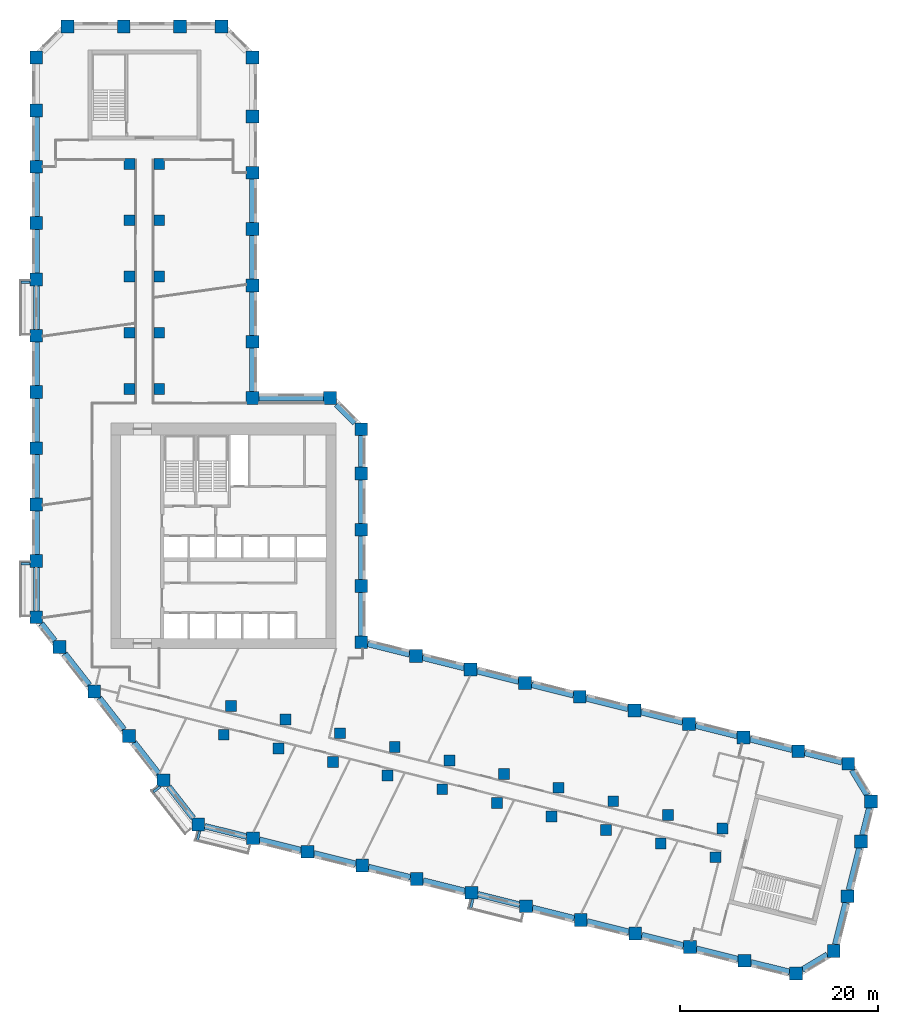
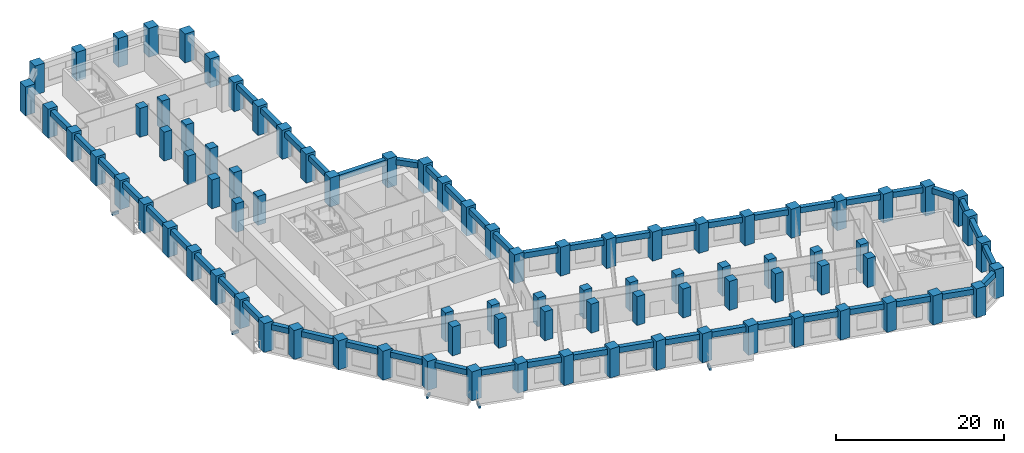
# One storey, part 1 of 11: 87 columns, 54 beams.
"""IFC4 building model written with IfcOpenShell, lengths in metres."""

from ifc_helpers import new_model, si_unit, direction, frame, origin, origin_2d, place, context, subcontext, project, spatial, rectangle, extrude, material, material_profile, profile_set, type_object, element, save


model = new_model("IFC4")

# Units and contexts
model_context = context("Model", 3, precision=1e-05, world=origin(), true_north=direction((0.0, 1.0)))
body_context = subcontext(model_context, "Body", "Model", "MODEL_VIEW")
ifc_project = project(units=[si_unit("LENGTHUNIT", "METRE"), si_unit("AREAUNIT", "SQUARE_METRE"), si_unit("VOLUMEUNIT", "CUBIC_METRE"), si_unit("PLANEANGLEUNIT", "RADIAN"), si_unit("MASSUNIT", "GRAM", prefix="KILO")], contexts=[model_context])

# Site, building, storey
site_placement = place(None, origin())
site = spatial("IfcSite", under=ifc_project, at=site_placement, CompositionType="ELEMENT")
building_placement = place(site_placement, origin())
building = spatial("IfcBuilding", under=site, at=building_placement, Name="Meshkara Civic Tower", CompositionType="ELEMENT")
storey_placement = place(building_placement, frame((0.0, 0.0, 101.39990234375)))
storey = spatial("IfcBuildingStorey", under=building, at=storey_placement, Name="L22", CompositionType="ELEMENT", Elevation=101.39990234375)

# Columns
ifc_material_1 = material(Name="Concrete C70", Category="concrete")
ifc_material_profile_1 = material_profile(ifc_material_1, rectangle(XDim=1.10009765625, YDim=1.10009765625, at=origin_2d()))
ifc_profile_set_1 = profile_set([ifc_material_profile_1], Name="Concrete C70")
column_type_1 = type_object("IfcColumnType", Name="Interior column RC 1100x1100 C70", PredefinedType="COLUMN", material=ifc_profile_set_1)
for number, where, z_axis, x_axis, name in (
    (1, (9.89990234375, 40.35009765625, 0.0), (0.0, 0.0, 1.0), (1.0, 0.0, 0.0), "Column SA1-04 L22"),
    (2, (9.89990234375, 46.050048828125, 0.0), (0.0, 0.0, 1.0), (1.0, 0.0, 0.0), "Column SA1-05 L22"),
    (3, (9.89990234375, 51.75, 0.0), (0.0, 0.0, 1.0), (1.0, 0.0, 0.0), "Column SA1-06 L22"),
    (4, (9.89990234375, 57.449951171875, 0.0), (0.0, 0.0, 1.0), (1.0, 0.0, 0.0), "Column SA1-07 L22"),
    (5, (9.89990234375, 63.14990234375, 0.0), (0.0, 0.0, 1.0), (1.0, 0.0, 0.0), "Column SA1-08 L22"),
    (6, (12.89990234375, 40.35009765625, 0.0), (0.0, 0.0, 1.0), (1.0, 0.0, 0.0), "Column SA2-04 L22"),
    (7, (12.89990234375, 46.050048828125, 0.0), (0.0, 0.0, 1.0), (1.0, 0.0, 0.0), "Column SA2-05 L22"),
    (8, (12.89990234375, 51.75, 0.0), (0.0, 0.0, 1.0), (1.0, 0.0, 0.0), "Column SA2-06 L22"),
    (9, (12.89990234375, 57.449951171875, 0.0), (0.0, 0.0, 1.0), (1.0, 0.0, 0.0), "Column SA2-07 L22"),
    (10, (12.89990234375, 63.14990234375, 0.0), (0.0, 0.0, 1.0), (1.0, 0.0, 0.0), "Column SA2-08 L22"),
    (11, (19.424072265625, 5.360107421875, 0.0), (0.0, 0.0, 1.0), (1.0, 0.0, 0.0), "Column SB1-00 L22"),
    (12, (24.9541015625, 3.98095703125, 0.0), (0.0, 0.0, 1.0), (1.0, 0.0, 0.0), "Column SB1-01 L22"),
    (13, (30.485107421875, 2.60205078125, 0.0), (0.0, 0.0, 1.0), (1.0, 0.0, 0.0), "Column SB1-02 L22"),
    (14, (36.01611328125, 1.222900390625, 0.0), (0.0, 0.0, 1.0), (1.0, 0.0, 0.0), "Column SB1-03 L22"),
    (15, (41.5458984375, -0.156005859375, 0.0), (0.0, 0.0, 1.0), (1.0, 0.0, 0.0), "Column SB1-04 L22"),
    (16, (47.076904296875, -1.534912109375, 0.0), (0.0, 0.0, 1.0), (1.0, 0.0, 0.0), "Column SB1-05 L22"),
    (17, (52.60791015625, -2.9140625, 0.0), (0.0, 0.0, 1.0), (1.0, 0.0, 0.0), "Column SB1-06 L22"),
    (18, (58.138916015625, -4.2919921875, 0.0), (0.0, 0.0, 1.0), (1.0, 0.0, 0.0), "Column SB1-07 L22"),
    (19, (63.6689453125, -5.6708984375, 0.0), (0.0, 0.0, 1.0), (1.0, 0.0, 0.0), "Column SB1-08 L22"),
    (20, (69.199951171875, -7.050048828125, 0.0), (0.0, 0.0, 1.0), (1.0, 0.0, 0.0), "Column SB1-09 L22"),
    (21, (20.14892578125, 8.27099609375, 0.0), (0.0, 0.0, 1.0), (1.0, 0.0, 0.0), "Column SB2-00 L22"),
    (22, (25.679931640625, 6.89208984375, 0.0), (0.0, 0.0, 1.0), (1.0, 0.0, 0.0), "Column SB2-01 L22"),
    (23, (31.2109375, 5.512939453125, 0.0), (0.0, 0.0, 1.0), (1.0, 0.0, 0.0), "Column SB2-02 L22"),
    (24, (36.741943359375, 4.134033203125, 0.0), (0.0, 0.0, 1.0), (1.0, 0.0, 0.0), "Column SB2-03 L22"),
    (25, (42.27197265625, 2.7548828125, 0.0), (0.0, 0.0, 1.0), (1.0, 0.0, 0.0), "Column SB2-04 L22"),
    (26, (47.802978515625, 1.3759765625, 0.0), (0.0, 0.0, 1.0), (1.0, 0.0, 0.0), "Column SB2-05 L22"),
    (27, (53.333984375, -0.0029296875, 0.0), (0.0, 0.0, 1.0), (1.0, 0.0, 0.0), "Column SB2-06 L22"),
    (28, (58.864013671875, -1.382080078125, 0.0), (0.0, 0.0, 1.0), (1.0, 0.0, 0.0), "Column SB2-07 L22"),
    (29, (64.39501953125, -2.760986328125, 0.0), (0.0, 0.0, 1.0), (1.0, 0.0, 0.0), "Column SB2-08 L22"),
    (30, (69.926025390625, -4.139892578125, 0.0), (0.0, 0.0, 1.0), (1.0, 0.0, 0.0), "Column SB2-09 L22"),
):
    element("IfcColumn", number, at=place(storey_placement, frame(where, z_axis=z_axis, x_axis=x_axis)), inside=storey, type_object=column_type_1, Name=name, PredefinedType="COLUMN", context=body_context, shape_type="SweptSolid", body=[
        extrude(rectangle(XDim=1.10009765625, YDim=1.10009765625, at=origin_2d()), origin(), (0.0, 0.0, 1.0), 4.2001953125),
    ])
ifc_material_2 = material(Name="Concrete C70", Category="concrete")
ifc_material_profile_2 = material_profile(ifc_material_2, rectangle(XDim=1.300048828125, YDim=1.300048828125, at=origin_2d()))
ifc_profile_set_2 = profile_set([ifc_material_profile_2], Name="Concrete C70")
column_type_2 = type_object("IfcColumnType", Name="Perimeter column RC 1300x1300 C70", PredefinedType="COLUMN", material=ifc_profile_set_2)
for number, where, z_axis, x_axis, name in (
    (31, (33.35009765625, 14.718994140625, 0.0), (0.0, 0.0, 1.0), (1.0, 0.0, 0.0), "Column HE00 L22"),
    (32, (33.35009765625, 20.4189453125, 0.0), (0.0, 0.0, 1.0), (1.0, 0.0, 0.0), "Column HE01 L22"),
    (33, (33.35009765625, 26.118896484375, 0.0), (0.0, 0.0, 1.0), (1.0, 0.0, 0.0), "Column HE02 L22"),
    (34, (33.35009765625, 31.819091796875, 0.0), (0.0, 0.0, 1.0), (1.0, 0.0, 0.0), "Column HE03 L22"),
    (35, (33.35009765625, 36.2939453125, 0.0), (0.0, 0.0, 1.0), (1.0, 0.0, 0.0), "Column HEE L22"),
    (36, (30.194091796875, 39.449951171875, 0.0), (0.0, 0.0, 1.0), (1.0, 0.0, 0.0), "Column HCeE L22"),
    (37, (22.35009765625, 39.449951171875, 0.0), (0.0, 0.0, 1.0), (1.0, 0.0, 0.0), "Column HN00 L22"),
    (38, (22.35009765625, 45.14990234375, 0.0), (0.0, 0.0, 1.0), (1.0, 0.0, 0.0), "Column AE01 L22"),
    (39, (22.35009765625, 50.85009765625, 0.0), (0.0, 0.0, 1.0), (1.0, 0.0, 0.0), "Column AE02 L22"),
    (40, (22.35009765625, 56.550048828125, 0.0), (0.0, 0.0, 1.0), (1.0, 0.0, 0.0), "Column AE03 L22"),
    (41, (22.35009765625, 62.25, 0.0), (0.0, 0.0, 1.0), (1.0, 0.0, 0.0), "Column AE04 L22"),
    (42, (22.35009765625, 67.949951171875, 0.0), (0.0, 0.0, 1.0), (1.0, 0.0, 0.0), "Column AE05 L22"),
    (43, (22.35009765625, 73.9140625, 0.0), (0.0, 0.0, 1.0), (1.0, 0.0, 0.0), "Column AEEP1 L22"),
    (44, (19.194091796875, 77.070068359375, 0.0), (0.0, 0.0, 1.0), (1.0, 0.0, 0.0), "Column ATiEP1 L22"),
    (45, (3.60595703125, 77.070068359375, 0.0), (0.0, 0.0, 1.0), (1.0, 0.0, 0.0), "Column AT00-P1 L22"),
    (46, (9.305908203125, 77.070068359375, 0.0), (0.0, 0.0, 1.0), (1.0, 0.0, 0.0), "Column AT01-P1 L22"),
    (47, (15.006103515625, 77.070068359375, 0.0), (0.0, 0.0, 1.0), (1.0, 0.0, 0.0), "Column AT02-P1 L22"),
    (48, (0.449951171875, 73.9140625, 0.0), (0.0, 0.0, 1.0), (1.0, 0.0, 0.0), "Column ATo00-P1 L22"),
    (49, (0.449951171875, 17.2548828125, 0.0), (0.0, 0.0, 1.0), (1.0, 0.0, 0.0), "Column AW00 L22"),
    (50, (0.449951171875, 22.955078125, 0.0), (0.0, 0.0, 1.0), (1.0, 0.0, 0.0), "Column AW01 L22"),
    (51, (0.449951171875, 28.655029296875, 0.0), (0.0, 0.0, 1.0), (1.0, 0.0, 0.0), "Column AW02 L22"),
    (52, (0.449951171875, 34.35498046875, 0.0), (0.0, 0.0, 1.0), (1.0, 0.0, 0.0), "Column AW03 L22"),
    (53, (0.449951171875, 40.054931640625, 0.0), (0.0, 0.0, 1.0), (1.0, 0.0, 0.0), "Column AW04 L22"),
    (54, (0.449951171875, 45.7548828125, 0.0), (0.0, 0.0, 1.0), (1.0, 0.0, 0.0), "Column AW05 L22"),
    (55, (0.449951171875, 51.455078125, 0.0), (0.0, 0.0, 1.0), (1.0, 0.0, 0.0), "Column AW06 L22"),
    (56, (0.449951171875, 57.155029296875, 0.0), (0.0, 0.0, 1.0), (1.0, 0.0, 0.0), "Column AW07 L22"),
    (57, (0.449951171875, 62.85498046875, 0.0), (0.0, 0.0, 1.0), (1.0, 0.0, 0.0), "Column AW08 L22"),
    (58, (0.449951171875, 68.554931640625, 0.0), (0.0, 0.0, 1.0), (1.0, 0.0, 0.0), "Column AW09 L22"),
    (59, (16.85107421875, -3.738037109375, 0.0), (0.0, 0.0, 1.0), (1.0, 0.0, 0.0), "Column BOW00 L22"),
    (60, (13.342041015625, 0.75390625, 0.0), (0.0, 0.0, 1.0), (1.0, 0.0, 0.0), "Column BOW01 L22"),
    (61, (9.8330078125, 5.2451171875, 0.0), (0.0, 0.0, 1.0), (1.0, 0.0, 0.0), "Column BOW02 L22"),
    (62, (6.322998046875, 9.737060546875, 0.0), (0.0, 0.0, 1.0), (1.0, 0.0, 0.0), "Column BOW03 L22"),
    (63, (2.81396484375, 14.22900390625, 0.0), (0.0, 0.0, 1.0), (1.0, 0.0, 0.0), "Column BOW04 L22"),
    (64, (22.382080078125, -5.116943359375, 0.0), (0.0, 0.0, 1.0), (1.0, 0.0, 0.0), "Column BS01 L22"),
    (65, (27.912109375, -6.49609375, 0.0), (0.0, 0.0, 1.0), (1.0, 0.0, 0.0), "Column BS02 L22"),
    (66, (33.443115234375, -7.875, 0.0), (0.0, 0.0, 1.0), (1.0, 0.0, 0.0), "Column BS03 L22"),
    (67, (38.97412109375, -9.2529296875, 0.0), (0.0, 0.0, 1.0), (1.0, 0.0, 0.0), "Column BS04-P1 L22"),
    (68, (44.5048828125, -10.632080078125, 0.0), (0.0, 0.0, 1.0), (1.0, 0.0, 0.0), "Column BS05 L22"),
    (69, (50.034912109375, -12.010986328125, 0.0), (0.0, 0.0, 1.0), (1.0, 0.0, 0.0), "Column BS06 L22"),
    (70, (55.56591796875, -13.389892578125, 0.0), (0.0, 0.0, 1.0), (1.0, 0.0, 0.0), "Column BS07 L22"),
    (71, (61.096923828125, -14.76904296875, 0.0), (0.0, 0.0, 1.0), (1.0, 0.0, 0.0), "Column BS08 L22"),
    (72, (66.626953125, -16.14794921875, 0.0), (0.0, 0.0, 1.0), (1.0, 0.0, 0.0), "Column BS09 L22"),
    (73, (72.157958984375, -17.527099609375, 0.0), (0.0, 0.0, 1.0), (1.0, 0.0, 0.0), "Column BS10 L22"),
    (74, (77.35791015625, -18.822998046875, 0.0), (0.0, 0.0, 1.0), (1.0, 0.0, 0.0), "Column BSEP1 L22"),
    (75, (81.18310546875, -16.52392578125, 0.0), (0.0, 0.0, 1.0), (1.0, 0.0, 0.0), "Column BToEP1 L22"),
    (76, (82.56201171875, -10.992919921875, 0.0), (0.0, 0.0, 1.0), (1.0, 0.0, 0.0), "Column BT01-P1 L22"),
    (77, (83.94091796875, -5.462890625, 0.0), (0.0, 0.0, 1.0), (1.0, 0.0, 0.0), "Column BT02-P1 L22"),
    (78, (84.9541015625, -1.39990234375, 0.0), (0.0, 0.0, 1.0), (1.0, 0.0, 0.0), "Column BTEP1 L22"),
    (79, (82.655029296875, 2.425048828125, 0.0), (0.0, 0.0, 1.0), (1.0, 0.0, 0.0), "Column BTi00-P1 L22"),
    (80, (38.881103515625, 13.340087890625, 0.0), (0.0, 0.0, 1.0), (1.0, 0.0, 0.0), "Column BN01 L22"),
    (81, (44.410888671875, 11.9609375, 0.0), (0.0, 0.0, 1.0), (1.0, 0.0, 0.0), "Column BN02 L22"),
    (82, (49.94189453125, 10.58203125, 0.0), (0.0, 0.0, 1.0), (1.0, 0.0, 0.0), "Column BN03 L22"),
    (83, (55.472900390625, 9.202880859375, 0.0), (0.0, 0.0, 1.0), (1.0, 0.0, 0.0), "Column BN04 L22"),
    (84, (61.0029296875, 7.823974609375, 0.0), (0.0, 0.0, 1.0), (1.0, 0.0, 0.0), "Column BN05 L22"),
    (85, (66.533935546875, 6.445068359375, 0.0), (0.0, 0.0, 1.0), (1.0, 0.0, 0.0), "Column BN06 L22"),
    (86, (72.06494140625, 5.06591796875, 0.0), (0.0, 0.0, 1.0), (1.0, 0.0, 0.0), "Column BN07 L22"),
    (87, (77.594970703125, 3.68701171875, 0.0), (0.0, 0.0, 1.0), (1.0, 0.0, 0.0), "Column BN08 L22"),
):
    element("IfcColumn", number, at=place(storey_placement, frame(where, z_axis=z_axis, x_axis=x_axis)), inside=storey, type_object=column_type_2, Name=name, PredefinedType="COLUMN", context=body_context, shape_type="SweptSolid", body=[
        extrude(rectangle(XDim=1.300048828125, YDim=1.300048828125, at=origin_2d()), origin(), (0.0, 0.0, 1.0), 4.2001953125),
    ])

# Beams
ifc_material_3 = material(Name="Concrete C50", Category="concrete")
ifc_material_profile_3 = material_profile(ifc_material_3, rectangle(XDim=0.25, YDim=0.39990234375, at=origin_2d()))
ifc_profile_set_3 = profile_set([ifc_material_profile_3], Name="Concrete C50")
beam_type_1 = type_object("IfcBeamType", Name="Balcony bracket beam RC 250x400 C50", PredefinedType="BEAM", material=ifc_profile_set_3)
for number, where, z_axis, x_axis, name in (
    (88, (-0.195068359375, 51.155029296875, -0.5), (-1.0, 0.0, 0.0), (0.0, -1.0, 0.0), "Balcony bracket beam"),
    (89, (-0.195068359375, 22.655029296875, -0.5), (-1.0, 0.0, 0.0), (0.0, -1.0, 0.0), "Balcony bracket beam"),
):
    element("IfcBeam", number, at=place(storey_placement, frame(where, z_axis=z_axis, x_axis=x_axis)), inside=storey, type_object=beam_type_1, Name=name, PredefinedType="BEAM", context=body_context, shape_type="SweptSolid", body=[
        extrude(rectangle(XDim=0.25, YDim=0.39990234375, at=origin_2d()), origin(), (0.0, 0.0, 1.0), 0.905029296875),
    ])
beam_1_placement = place(storey_placement, frame((13.0009765625, 0.10693359375, -0.5), z_axis=(-0.787936375825, -0.615756662693, 0.0), x_axis=(0.615756662693, -0.787936375825, 0.0)))
element("IfcBeam", 90, at=beam_1_placement, inside=storey, type_object=beam_type_1, Name="Balcony bracket beam", PredefinedType="BEAM", context=body_context, shape_type="SweptSolid", body=[
    extrude(rectangle(XDim=0.25, YDim=0.39990234375, at=origin_2d()), origin(), (0.0, 0.0, 1.0), 0.88330078125),
])
beam_2_placement = place(storey_placement, frame((16.9990234375, -4.383056640625, -0.5), z_axis=(-0.241757133902, -0.970336791123, 0.0), x_axis=(0.970336791123, -0.241757133902, 0.0)))
element("IfcBeam", 91, at=beam_2_placement, inside=storey, type_object=beam_type_1, Name="Balcony bracket beam", PredefinedType="BEAM", context=body_context, shape_type="SweptSolid", body=[
    extrude(rectangle(XDim=0.25, YDim=0.39990234375, at=origin_2d()), origin(), (0.0, 0.0, 1.0), 0.95947265625),
])
beam_3_placement = place(storey_placement, frame((44.653076171875, -11.277099609375, -0.5), z_axis=(-0.241757949961, -0.970336587804, 0.0), x_axis=(0.970336587804, -0.241757949961, 0.0)))
element("IfcBeam", 92, at=beam_3_placement, inside=storey, type_object=beam_type_1, Name="Balcony bracket beam", PredefinedType="BEAM", context=body_context, shape_type="SweptSolid", body=[
    extrude(rectangle(XDim=0.25, YDim=0.39990234375, at=origin_2d()), origin(), (0.0, 0.0, 1.0), 0.96044921875),
])
ifc_material_4 = material(Name="Concrete C70", Category="concrete")
ifc_material_profile_4 = material_profile(ifc_material_4, rectangle(XDim=0.60009765625, YDim=0.800048828125, at=origin_2d()))
ifc_profile_set_4 = profile_set([ifc_material_profile_4], Name="Concrete C70")
beam_type_2 = type_object("IfcBeamType", Name="Spandrel beam RC 600x800 C70", PredefinedType="BEAM", material=ifc_profile_set_4)
beam_4_placement = place(storey_placement, frame((76.949951171875, 3.847900390625, 3.5), z_axis=(-0.970293497888, 0.241930832999, 0.0), x_axis=(-0.241930832999, -0.970293497888, 0.0)))
element("IfcBeam", 93, at=beam_4_placement, inside=storey, type_object=beam_type_2, Name="Spandrel beam BN07-BN08", PredefinedType="BEAM", context=body_context, shape_type="SweptSolid", body=[
    extrude(rectangle(XDim=0.60009765625, YDim=0.800048828125, at=origin_2d()), origin(), (0.0, 0.0, 1.0), 4.36962890625),
])
for number, where, z_axis, x_axis, name in (
    (94, (71.419921875, 5.226806640625, 3.5), (-0.970293463154, 0.241930972304, 0.0), (-0.241930972304, -0.970293463154, 0.0), "Spandrel beam BN06-BN07"),
    (95, (65.888916015625, 6.605712890625, 3.5), (-0.970293463154, 0.241930972304, 0.0), (-0.241930972304, -0.970293463154, 0.0), "Spandrel beam BN05-BN06"),
):
    element("IfcBeam", number, at=place(storey_placement, frame(where, z_axis=z_axis, x_axis=x_axis)), inside=storey, type_object=beam_type_2, Name=name, PredefinedType="BEAM", context=body_context, shape_type="SweptSolid", body=[
        extrude(rectangle(XDim=0.60009765625, YDim=0.800048828125, at=origin_2d()), origin(), (0.0, 0.0, 1.0), 4.37060546875),
    ])
beam_5_placement = place(storey_placement, frame((60.35791015625, 7.98486328125, 3.5), z_axis=(-0.970293497888, 0.241930832999, 0.0), x_axis=(-0.241930832999, -0.970293497888, 0.0)))
element("IfcBeam", 96, at=beam_5_placement, inside=storey, type_object=beam_type_2, Name="Spandrel beam BN04-BN05", PredefinedType="BEAM", context=body_context, shape_type="SweptSolid", body=[
    extrude(rectangle(XDim=0.60009765625, YDim=0.800048828125, at=origin_2d()), origin(), (0.0, 0.0, 1.0), 4.36962890625),
])
for number, where, z_axis, x_axis, name in (
    (97, (54.827880859375, 9.36376953125, 3.5), (-0.970293463154, 0.241930972304, 0.0), (-0.241930972304, -0.970293463154, 0.0), "Spandrel beam BN03-BN04"),
    (98, (49.296875, 10.742919921875, 3.5), (-0.970293463154, 0.241930972304, 0.0), (-0.241930972304, -0.970293463154, 0.0), "Spandrel beam BN02-BN03"),
):
    element("IfcBeam", number, at=place(storey_placement, frame(where, z_axis=z_axis, x_axis=x_axis)), inside=storey, type_object=beam_type_2, Name=name, PredefinedType="BEAM", context=body_context, shape_type="SweptSolid", body=[
        extrude(rectangle(XDim=0.60009765625, YDim=0.800048828125, at=origin_2d()), origin(), (0.0, 0.0, 1.0), 4.37060546875),
    ])
beam_6_placement = place(storey_placement, frame((43.765869140625, 12.121826171875, 3.5), z_axis=(-0.970280380753, 0.241983434817, 0.0), x_axis=(-0.241983434817, -0.970280380753, 0.0)))
element("IfcBeam", 99, at=beam_6_placement, inside=storey, type_object=beam_type_2, Name="Spandrel beam BN01-BN02", PredefinedType="BEAM", context=body_context, shape_type="SweptSolid", body=[
    extrude(rectangle(XDim=0.60009765625, YDim=0.800048828125, at=origin_2d()), origin(), (0.0, 0.0, 1.0), 4.36962890625),
])
beam_7_placement = place(storey_placement, frame((38.23583984375, 13.500732421875, 3.5), z_axis=(-0.970293463154, 0.241930972304, 0.0), x_axis=(-0.241930972304, -0.970293463154, 0.0)))
element("IfcBeam", 100, at=beam_7_placement, inside=storey, type_object=beam_type_2, Name="Spandrel beam BN01-HE00", PredefinedType="BEAM", context=body_context, shape_type="SweptSolid", body=[
    extrude(rectangle(XDim=0.60009765625, YDim=0.800048828125, at=origin_2d()), origin(), (0.0, 0.0, 1.0), 4.37060546875),
])
beam_8_placement = place(storey_placement, frame((33.35009765625, 15.364013671875, 3.5), z_axis=(0.0, 1.0, 0.0), x_axis=(-1.0, 0.0, 0.0)))
element("IfcBeam", 101, at=beam_8_placement, inside=storey, type_object=beam_type_2, Name="Spandrel beam HE00-HE01", PredefinedType="BEAM", context=body_context, shape_type="SweptSolid", body=[
    extrude(rectangle(XDim=0.60009765625, YDim=0.800048828125, at=origin_2d()), origin(), (0.0, 0.0, 1.0), 4.409912109375),
])
for number, where, z_axis, x_axis, name in (
    (102, (33.35009765625, 21.06396484375, 3.5), (0.0, 1.0, 0.0), (-1.0, 0.0, 0.0), "Spandrel beam HE01-HE02"),
    (103, (33.35009765625, 26.763916015625, 3.5), (0.0, 1.0, 0.0), (-1.0, 0.0, 0.0), "Spandrel beam HE02-HE03"),
):
    element("IfcBeam", number, at=place(storey_placement, frame(where, z_axis=z_axis, x_axis=x_axis)), inside=storey, type_object=beam_type_2, Name=name, PredefinedType="BEAM", context=body_context, shape_type="SweptSolid", body=[
        extrude(rectangle(XDim=0.60009765625, YDim=0.800048828125, at=origin_2d()), origin(), (0.0, 0.0, 1.0), 4.41015625),
    ])
beam_9_placement = place(storey_placement, frame((33.35009765625, 32.464111328125, 3.5), z_axis=(0.0, 1.0, 0.0), x_axis=(-1.0, 0.0, 0.0)))
element("IfcBeam", 104, at=beam_9_placement, inside=storey, type_object=beam_type_2, Name="Spandrel beam HE03-HEE", PredefinedType="BEAM", context=body_context, shape_type="SweptSolid", body=[
    extrude(rectangle(XDim=0.60009765625, YDim=0.800048828125, at=origin_2d()), origin(), (0.0, 0.0, 1.0), 3.184814453125),
])
beam_10_placement = place(storey_placement, frame((32.70361328125, 36.9404296875, 3.5), z_axis=(-0.707106781187, 0.707106781187, 0.0), x_axis=(-0.707106781187, -0.707106781187, 0.0)))
element("IfcBeam", 105, at=beam_10_placement, inside=storey, type_object=beam_type_2, Name="Spandrel beam HCeE-HEE", PredefinedType="BEAM", context=body_context, shape_type="SweptSolid", body=[
    extrude(rectangle(XDim=0.60009765625, YDim=0.800048828125, at=origin_2d()), origin(), (0.0, 0.0, 1.0), 2.634765625),
])
beam_11_placement = place(storey_placement, frame((29.549072265625, 39.449951171875, 3.5), z_axis=(-1.0, 0.0, 0.0), x_axis=(0.0, -1.0, 0.0)))
element("IfcBeam", 106, at=beam_11_placement, inside=storey, type_object=beam_type_2, Name="Spandrel beam HCeE-HN00", PredefinedType="BEAM", context=body_context, shape_type="SweptSolid", body=[
    extrude(rectangle(XDim=0.60009765625, YDim=0.800048828125, at=origin_2d()), origin(), (0.0, 0.0, 1.0), 6.553955078125),
])
beam_12_placement = place(storey_placement, frame((22.35009765625, 40.094970703125, 3.5), z_axis=(0.0, 1.0, 0.0), x_axis=(-1.0, 0.0, 0.0)))
element("IfcBeam", 107, at=beam_12_placement, inside=storey, type_object=beam_type_2, Name="Spandrel beam AE01-HN00", PredefinedType="BEAM", context=body_context, shape_type="SweptSolid", body=[
    extrude(rectangle(XDim=0.60009765625, YDim=0.800048828125, at=origin_2d()), origin(), (0.0, 0.0, 1.0), 4.409912109375),
])
beam_13_placement = place(storey_placement, frame((22.35009765625, 45.794921875, 3.5), z_axis=(0.0, 1.0, 0.0), x_axis=(-1.0, 0.0, 0.0)))
element("IfcBeam", 108, at=beam_13_placement, inside=storey, type_object=beam_type_2, Name="Spandrel beam AE01-AE02", PredefinedType="BEAM", context=body_context, shape_type="SweptSolid", body=[
    extrude(rectangle(XDim=0.60009765625, YDim=0.800048828125, at=origin_2d()), origin(), (0.0, 0.0, 1.0), 4.41015625),
])
for number, where, z_axis, x_axis, name in (
    (109, (22.35009765625, 51.4951171875, 3.5), (0.0, 1.0, 0.0), (-1.0, 0.0, 0.0), "Spandrel beam AE02-AE03"),
    (110, (22.35009765625, 57.195068359375, 3.5), (0.0, 1.0, 0.0), (-1.0, 0.0, 0.0), "Spandrel beam AE03-AE04"),
    (111, (0.449951171875, 67.909912109375, 3.5), (0.0, -1.0, 0.0), (1.0, 0.0, 0.0), "Spandrel beam AW08-AW09"),
    (112, (0.449951171875, 62.2099609375, 3.5), (0.0, -1.0, 0.0), (1.0, 0.0, 0.0), "Spandrel beam AW07-AW08"),
    (113, (0.449951171875, 56.510009765625, 3.5), (0.0, -1.0, 0.0), (1.0, 0.0, 0.0), "Spandrel beam AW06-AW07"),
):
    element("IfcBeam", number, at=place(storey_placement, frame(where, z_axis=z_axis, x_axis=x_axis)), inside=storey, type_object=beam_type_2, Name=name, PredefinedType="BEAM", context=body_context, shape_type="SweptSolid", body=[
        extrude(rectangle(XDim=0.60009765625, YDim=0.800048828125, at=origin_2d()), origin(), (0.0, 0.0, 1.0), 4.409912109375),
    ])
for number, where, z_axis, x_axis, name in (
    (114, (0.449951171875, 50.81005859375, 3.5), (0.0, -1.0, 0.0), (1.0, 0.0, 0.0), "Spandrel beam AW05-AW06"),
    (115, (0.449951171875, 45.110107421875, 3.5), (0.0, -1.0, 0.0), (1.0, 0.0, 0.0), "Spandrel beam AW04-AW05"),
):
    element("IfcBeam", number, at=place(storey_placement, frame(where, z_axis=z_axis, x_axis=x_axis)), inside=storey, type_object=beam_type_2, Name=name, PredefinedType="BEAM", context=body_context, shape_type="SweptSolid", body=[
        extrude(rectangle(XDim=0.60009765625, YDim=0.800048828125, at=origin_2d()), origin(), (0.0, 0.0, 1.0), 4.41015625),
    ])
for number, where, z_axis, x_axis, name in (
    (116, (0.449951171875, 39.409912109375, 3.5), (0.0, -1.0, 0.0), (1.0, 0.0, 0.0), "Spandrel beam AW03-AW04"),
    (117, (0.449951171875, 33.7099609375, 3.5), (0.0, -1.0, 0.0), (1.0, 0.0, 0.0), "Spandrel beam AW02-AW03"),
    (118, (0.449951171875, 28.010009765625, 3.5), (0.0, -1.0, 0.0), (1.0, 0.0, 0.0), "Spandrel beam AW01-AW02"),
):
    element("IfcBeam", number, at=place(storey_placement, frame(where, z_axis=z_axis, x_axis=x_axis)), inside=storey, type_object=beam_type_2, Name=name, PredefinedType="BEAM", context=body_context, shape_type="SweptSolid", body=[
        extrude(rectangle(XDim=0.60009765625, YDim=0.800048828125, at=origin_2d()), origin(), (0.0, 0.0, 1.0), 4.409912109375),
    ])
beam_14_placement = place(storey_placement, frame((0.449951171875, 22.31005859375, 3.5), z_axis=(0.0, -1.0, 0.0), x_axis=(1.0, 0.0, 0.0)))
element("IfcBeam", 119, at=beam_14_placement, inside=storey, type_object=beam_type_2, Name="Spandrel beam AW00-AW01", PredefinedType="BEAM", context=body_context, shape_type="SweptSolid", body=[
    extrude(rectangle(XDim=0.60009765625, YDim=0.800048828125, at=origin_2d()), origin(), (0.0, 0.0, 1.0), 4.41015625),
])
beam_15_placement = place(storey_placement, frame((0.95458984375, 16.60888671875, 3.5), z_axis=(0.61568279769, -0.787994094286, 0.0), x_axis=(0.787994094286, 0.61568279769, 0.0)))
element("IfcBeam", 120, at=beam_15_placement, inside=storey, type_object=beam_type_2, Name="Spandrel beam AW00-BOW04", PredefinedType="BEAM", context=body_context, shape_type="SweptSolid", body=[
    extrude(rectangle(XDim=0.60009765625, YDim=0.800048828125, at=origin_2d()), origin(), (0.0, 0.0, 1.0), 2.200439453125),
])
beam_16_placement = place(storey_placement, frame((3.318603515625, 13.5830078125, 3.5), z_axis=(0.615612539127, -0.788048984309, 0.0), x_axis=(0.788048984309, 0.615612539127, 0.0)))
element("IfcBeam", 121, at=beam_16_placement, inside=storey, type_object=beam_type_2, Name="Spandrel beam BOW03-BOW04", PredefinedType="BEAM", context=body_context, shape_type="SweptSolid", body=[
    extrude(rectangle(XDim=0.60009765625, YDim=0.800048828125, at=origin_2d()), origin(), (0.0, 0.0, 1.0), 4.060546875),
])
beam_17_placement = place(storey_placement, frame((6.827880859375, 9.0908203125, 3.5), z_axis=(0.615716376188, -0.787967857272, 0.0), x_axis=(0.787967857272, 0.615716376188, 0.0)))
element("IfcBeam", 122, at=beam_17_placement, inside=storey, type_object=beam_type_2, Name="Spandrel beam BOW02-BOW03", PredefinedType="BEAM", context=body_context, shape_type="SweptSolid", body=[
    extrude(rectangle(XDim=0.60009765625, YDim=0.800048828125, at=origin_2d()), origin(), (0.0, 0.0, 1.0), 4.060791015625),
])
beam_18_placement = place(storey_placement, frame((10.337890625, 4.598876953125, 3.5), z_axis=(0.61568372316, -0.787993371188, 0.0), x_axis=(0.787993371188, 0.61568372316, 0.0)))
element("IfcBeam", 123, at=beam_18_placement, inside=storey, type_object=beam_type_2, Name="Spandrel beam BOW01-BOW02", PredefinedType="BEAM", context=body_context, shape_type="SweptSolid", body=[
    extrude(rectangle(XDim=0.60009765625, YDim=0.800048828125, at=origin_2d()), origin(), (0.0, 0.0, 1.0), 4.059326171875),
])
beam_19_placement = place(storey_placement, frame((13.8466796875, 0.10791015625, 3.5), z_axis=(0.615604368214, -0.78805536724, 0.0), x_axis=(0.78805536724, 0.615604368214, 0.0)))
element("IfcBeam", 124, at=beam_19_placement, inside=storey, type_object=beam_type_2, Name="Spandrel beam BOW00-BOW01", PredefinedType="BEAM", context=body_context, shape_type="SweptSolid", body=[
    extrude(rectangle(XDim=0.60009765625, YDim=0.800048828125, at=origin_2d()), origin(), (0.0, 0.0, 1.0), 4.060302734375),
])
beam_20_placement = place(storey_placement, frame((17.49609375, -3.898681640625, 3.5), z_axis=(0.970280349033, -0.241983562004, 0.0), x_axis=(0.241983562004, 0.970280349033, 0.0)))
element("IfcBeam", 125, at=beam_20_placement, inside=storey, type_object=beam_type_2, Name="Spandrel beam BOW00-BS01", PredefinedType="BEAM", context=body_context, shape_type="SweptSolid", body=[
    extrude(rectangle(XDim=0.60009765625, YDim=0.800048828125, at=origin_2d()), origin(), (0.0, 0.0, 1.0), 4.37060546875),
])
beam_21_placement = place(storey_placement, frame((23.027099609375, -5.27783203125, 3.5), z_axis=(0.970280380753, -0.241983434817, 0.0), x_axis=(0.241983434817, 0.970280380753, 0.0)))
element("IfcBeam", 126, at=beam_21_placement, inside=storey, type_object=beam_type_2, Name="Spandrel beam BS01-BS02", PredefinedType="BEAM", context=body_context, shape_type="SweptSolid", body=[
    extrude(rectangle(XDim=0.60009765625, YDim=0.800048828125, at=origin_2d()), origin(), (0.0, 0.0, 1.0), 4.36962890625),
])
beam_22_placement = place(storey_placement, frame((28.55712890625, -6.65673828125, 3.5), z_axis=(0.970293463154, -0.241930972304, 0.0), x_axis=(0.241930972304, 0.970293463154, 0.0)))
element("IfcBeam", 127, at=beam_22_placement, inside=storey, type_object=beam_type_2, Name="Spandrel beam BS02-BS03", PredefinedType="BEAM", context=body_context, shape_type="SweptSolid", body=[
    extrude(rectangle(XDim=0.60009765625, YDim=0.800048828125, at=origin_2d()), origin(), (0.0, 0.0, 1.0), 4.37060546875),
])
beam_23_placement = place(storey_placement, frame((34.088134765625, -8.03564453125, 3.5), z_axis=(0.97033279054, -0.241773190412, 0.0), x_axis=(0.241773190412, 0.97033279054, 0.0)))
element("IfcBeam", 128, at=beam_23_placement, inside=storey, type_object=beam_type_2, Name="Spandrel beam BS03-BS04-P1", PredefinedType="BEAM", context=body_context, shape_type="SweptSolid", body=[
    extrude(rectangle(XDim=0.60009765625, YDim=0.800048828125, at=origin_2d()), origin(), (0.0, 0.0, 1.0), 4.370361328125),
])
beam_24_placement = place(storey_placement, frame((39.619140625, -9.413818359375, 3.5), z_axis=(0.970293463154, -0.241930972304, 0.0), x_axis=(0.241930972304, 0.970293463154, 0.0)))
element("IfcBeam", 129, at=beam_24_placement, inside=storey, type_object=beam_type_2, Name="Spandrel beam BS04-P1-BS05", PredefinedType="BEAM", context=body_context, shape_type="SweptSolid", body=[
    extrude(rectangle(XDim=0.60009765625, YDim=0.800048828125, at=origin_2d()), origin(), (0.0, 0.0, 1.0), 4.37060546875),
])
beam_25_placement = place(storey_placement, frame((45.150146484375, -10.79296875, 3.5), z_axis=(0.970293497888, -0.241930832999, 0.0), x_axis=(0.241930832999, 0.970293497888, 0.0)))
element("IfcBeam", 130, at=beam_25_placement, inside=storey, type_object=beam_type_2, Name="Spandrel beam BS05-BS06", PredefinedType="BEAM", context=body_context, shape_type="SweptSolid", body=[
    extrude(rectangle(XDim=0.60009765625, YDim=0.800048828125, at=origin_2d()), origin(), (0.0, 0.0, 1.0), 4.36962890625),
])
for number, where, z_axis, x_axis, name in (
    (131, (50.68017578125, -12.171875, 3.5), (0.970293463154, -0.241930972304, 0.0), (0.241930972304, 0.970293463154, 0.0), "Spandrel beam BS06-BS07"),
    (132, (56.211181640625, -13.55078125, 3.5), (0.970293463154, -0.241930972304, 0.0), (0.241930972304, 0.970293463154, 0.0), "Spandrel beam BS07-BS08"),
):
    element("IfcBeam", number, at=place(storey_placement, frame(where, z_axis=z_axis, x_axis=x_axis)), inside=storey, type_object=beam_type_2, Name=name, PredefinedType="BEAM", context=body_context, shape_type="SweptSolid", body=[
        extrude(rectangle(XDim=0.60009765625, YDim=0.800048828125, at=origin_2d()), origin(), (0.0, 0.0, 1.0), 4.37060546875),
    ])
beam_26_placement = place(storey_placement, frame((61.7421875, -14.929931640625, 3.5), z_axis=(0.970293497888, -0.241930832999, 0.0), x_axis=(0.241930832999, 0.970293497888, 0.0)))
element("IfcBeam", 133, at=beam_26_placement, inside=storey, type_object=beam_type_2, Name="Spandrel beam BS08-BS09", PredefinedType="BEAM", context=body_context, shape_type="SweptSolid", body=[
    extrude(rectangle(XDim=0.60009765625, YDim=0.800048828125, at=origin_2d()), origin(), (0.0, 0.0, 1.0), 4.36962890625),
])
beam_27_placement = place(storey_placement, frame((67.272216796875, -16.308837890625, 3.5), z_axis=(0.970293463154, -0.241930972304, 0.0), x_axis=(0.241930972304, 0.970293463154, 0.0)))
element("IfcBeam", 134, at=beam_27_placement, inside=storey, type_object=beam_type_2, Name="Spandrel beam BS09-BS10", PredefinedType="BEAM", context=body_context, shape_type="SweptSolid", body=[
    extrude(rectangle(XDim=0.60009765625, YDim=0.800048828125, at=origin_2d()), origin(), (0.0, 0.0, 1.0), 4.37060546875),
])
beam_28_placement = place(storey_placement, frame((72.802978515625, -17.687744140625, 3.5), z_axis=(0.970323993045, -0.241808495551, 0.0), x_axis=(0.241808495551, 0.970323993045, 0.0)))
element("IfcBeam", 135, at=beam_28_placement, inside=storey, type_object=beam_type_2, Name="Spandrel beam BS10-BSEP1", PredefinedType="BEAM", context=body_context, shape_type="SweptSolid", body=[
    extrude(rectangle(XDim=0.60009765625, YDim=0.800048828125, at=origin_2d()), origin(), (0.0, 0.0, 1.0), 4.029541015625),
])
beam_29_placement = place(storey_placement, frame((78.003662109375, -18.434814453125, 3.5), z_axis=(0.857121046107, 0.515115047655, 0.0), x_axis=(-0.515115047655, 0.857121046107, 0.0)))
element("IfcBeam", 136, at=beam_29_placement, inside=storey, type_object=beam_type_2, Name="Spandrel beam BSEP1-BToEP1", PredefinedType="BEAM", context=body_context, shape_type="SweptSolid", body=[
    extrude(rectangle(XDim=0.60009765625, YDim=0.800048828125, at=origin_2d()), origin(), (0.0, 0.0, 1.0), 2.9560546875),
])
beam_30_placement = place(storey_placement, frame((81.34375, -15.87890625, 3.5), z_axis=(0.241930972304, 0.970293463154, 0.0), x_axis=(-0.970293463154, 0.241930972304, 0.0)))
element("IfcBeam", 137, at=beam_30_placement, inside=storey, type_object=beam_type_2, Name="Spandrel beam BT01-P1-BToEP1", PredefinedType="BEAM", context=body_context, shape_type="SweptSolid", body=[
    extrude(rectangle(XDim=0.60009765625, YDim=0.800048828125, at=origin_2d()), origin(), (0.0, 0.0, 1.0), 4.37060546875),
])
beam_31_placement = place(storey_placement, frame((82.722900390625, -10.347900390625, 3.5), z_axis=(0.241930832999, 0.970293497888, 0.0), x_axis=(-0.970293497888, 0.241930832999, 0.0)))
element("IfcBeam", 138, at=beam_31_placement, inside=storey, type_object=beam_type_2, Name="Spandrel beam BT01-P1-BT02-P1", PredefinedType="BEAM", context=body_context, shape_type="SweptSolid", body=[
    extrude(rectangle(XDim=0.60009765625, YDim=0.800048828125, at=origin_2d()), origin(), (0.0, 0.0, 1.0), 4.36962890625),
])
beam_32_placement = place(storey_placement, frame((84.101806640625, -4.81787109375, 3.5), z_axis=(0.241952611346, 0.970288067464, 0.0), x_axis=(-0.970288067464, 0.241952611346, 0.0)))
element("IfcBeam", 139, at=beam_32_placement, inside=storey, type_object=beam_type_2, Name="Spandrel beam BT02-P1-BTEP1", PredefinedType="BEAM", context=body_context, shape_type="SweptSolid", body=[
    extrude(rectangle(XDim=0.60009765625, YDim=0.800048828125, at=origin_2d()), origin(), (0.0, 0.0, 1.0), 2.857666015625),
])
beam_33_placement = place(storey_placement, frame((84.56591796875, -0.75439453125, 3.5), z_axis=(-0.515115047655, 0.857121046107, 0.0), x_axis=(-0.857121046107, -0.515115047655, 0.0)))
element("IfcBeam", 140, at=beam_33_placement, inside=storey, type_object=beam_type_2, Name="Spandrel beam BTEP1-BTi00-P1", PredefinedType="BEAM", context=body_context, shape_type="SweptSolid", body=[
    extrude(rectangle(XDim=0.60009765625, YDim=0.800048828125, at=origin_2d()), origin(), (0.0, 0.0, 1.0), 2.9560546875),
])
beam_34_placement = place(storey_placement, frame((82.010009765625, 2.5859375, 3.5), z_axis=(-0.970282789967, 0.241973774392, 0.0), x_axis=(-0.241973774392, -0.970282789967, 0.0)))
element("IfcBeam", 141, at=beam_34_placement, inside=storey, type_object=beam_type_2, Name="Spandrel beam BN08-BTi00-P1", PredefinedType="BEAM", context=body_context, shape_type="SweptSolid", body=[
    extrude(rectangle(XDim=0.60009765625, YDim=0.800048828125, at=origin_2d()), origin(), (0.0, 0.0, 1.0), 3.885498046875),
])

save(model, "model.ifc")
